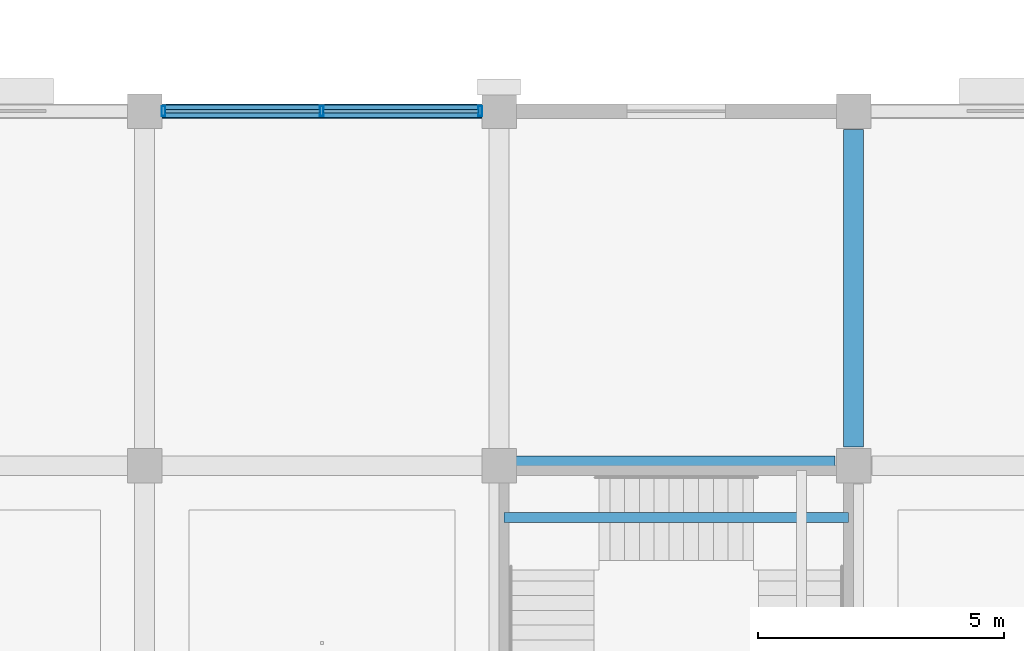
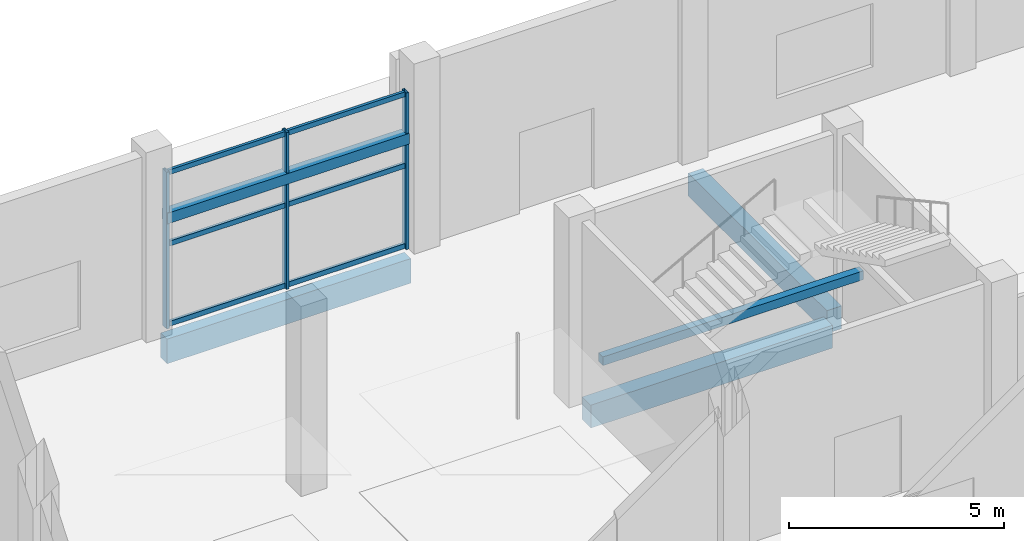
# One storey, part 16 of 90: 9 members, 5 beams, 1 element without a shape of its own.
"""IFC4 building model written with IfcOpenShell, lengths in metres."""

from ifc_helpers import new_model, si_unit, direction, frame, origin, origin_2d, place, context, subcontext, project, spatial, rectangle, hollow_rectangle, extrude, material, layer, layer_set, material_profile, profile_set, type_object, element, aggregate, save


model = new_model("IFC4")

# Units and contexts
model_context = context("Model", 3, precision=1e-05, world=origin(), true_north=direction((0.0, 1.0)))
body_context = subcontext(model_context, "Body", "Model", "MODEL_VIEW")
ifc_project = project(units=[si_unit("LENGTHUNIT", "METRE"), si_unit("AREAUNIT", "SQUARE_METRE"), si_unit("VOLUMEUNIT", "CUBIC_METRE"), si_unit("PLANEANGLEUNIT", "RADIAN"), si_unit("MASSUNIT", "GRAM", prefix="KILO")], contexts=[model_context])

# Site, building, storey
site_placement = place(None, origin())
site = spatial("IfcSite", under=ifc_project, at=site_placement, CompositionType="ELEMENT")
building_placement = place(site_placement, origin())
building = spatial("IfcBuilding", under=site, at=building_placement, Name="Kangsadwip Square Police Headquarters", CompositionType="ELEMENT")
storey_placement = place(building_placement, origin())
storey = spatial("IfcBuildingStorey", under=building, at=storey_placement, Name="L00", CompositionType="ELEMENT", Elevation=0.0)

# Curtain wall, members
ifc_material_1 = material(Name="Thermally broken anodised aluminium AW-6063-T6", Category="aluminium")
ifc_layer = layer(ifc_material_1, 0.159912109375)
ifc_layer_set = layer_set([ifc_layer], Name="Thermally broken anodised aluminium AW-6063-T6")
curtain_wall_type = type_object("IfcCurtainWallType", Name="UnitisedCw6510x4450", PredefinedType="NOTDEFINED", material=ifc_layer_set)
curtain_wall_placement = place(storey_placement, origin())
curtain_wall = element("IfcCurtainWall", 1, at=curtain_wall_placement, inside=storey, type_object=curtain_wall_type, Name="Curtain Wall CW-L00-0075-1152", PredefinedType="NOTDEFINED")
ifc_material_2 = material(Name="Thermally broken anodised aluminium AW-6063-T6", Category="aluminium")
ifc_material_profile_1 = material_profile(ifc_material_2, hollow_rectangle(XDim=0.074951171875, YDim=0.199951171875, WallThickness=0.0048828125, at=origin_2d()), Name="CWM 200X75X5")
ifc_profile_set_1 = profile_set([ifc_material_profile_1], Name="Thermally broken anodised aluminium AW-6063-T6")
member_type_1 = type_object("IfcMemberType", Name="CwMullion180x75", PredefinedType="MULLION", material=ifc_profile_set_1)
member_1_placement = place(storey_placement, frame((7.58251953125, 115.199951171875, 0.0), z_axis=(0.0, 0.0, 1.0), x_axis=(1.0, 0.0, 0.0)))
member_1 = element("IfcMember", 2, at=member_1_placement, type_object=member_type_1, Name="CW-06 mullion 1", PredefinedType="MULLION", context=body_context, shape_type="SweptSolid", body=[
    extrude(hollow_rectangle(XDim=0.074951171875, YDim=0.199951171875, WallThickness=0.0048828125, at=origin_2d()), origin(), (0.0, 0.0, 1.0), 4.449951171875),
])
member_2_placement = place(storey_placement, frame((10.800048828125, 115.199951171875, 0.0), z_axis=(0.0, 0.0, 1.0), x_axis=(1.0, 0.0, 0.0)))
member_2 = element("IfcMember", 3, at=member_2_placement, type_object=member_type_1, Name="CW-06 mullion 2", PredefinedType="MULLION", context=body_context, shape_type="SweptSolid", body=[
    extrude(hollow_rectangle(XDim=0.074951171875, YDim=0.199951171875, WallThickness=0.0048828125, at=origin_2d()), origin(), (0.0, 0.0, 1.0), 4.449951171875),
])
member_3_placement = place(storey_placement, frame((14.017578125, 115.199951171875, 0.0), z_axis=(0.0, 0.0, 1.0), x_axis=(1.0, 0.0, 0.0)))
member_3 = element("IfcMember", 4, at=member_3_placement, type_object=member_type_1, Name="CW-06 mullion 3", PredefinedType="MULLION", context=body_context, shape_type="SweptSolid", body=[
    extrude(hollow_rectangle(XDim=0.074951171875, YDim=0.199951171875, WallThickness=0.0048828125, at=origin_2d()), origin(), (0.0, 0.0, 1.0), 4.449951171875),
])
ifc_material_3 = material(Name="Thermally broken anodised aluminium AW-6063-T6", Category="aluminium")
ifc_material_profile_2 = material_profile(ifc_material_3, hollow_rectangle(XDim=0.074951171875, YDim=0.139892578125, WallThickness=0.0048828125, at=origin_2d()), Name="CWT 140X75X5")
ifc_profile_set_2 = profile_set([ifc_material_profile_2], Name="Thermally broken anodised aluminium AW-6063-T6")
member_type_2 = type_object("IfcMemberType", Name="CwTransom160x65", PredefinedType="USERDEFINED", material=ifc_profile_set_2)
member_4_placement = place(storey_placement, frame((7.6201171875, 115.199951171875, 0.070068359375), z_axis=(1.0, 0.0, 0.0), x_axis=(0.0, 1.0, 0.0)))
member_4 = element("IfcMember", 5, at=member_4_placement, type_object=member_type_2, Name="CW-06 transom 1.1", ObjectType="TRANSOM", PredefinedType="USERDEFINED", context=body_context, shape_type="SweptSolid", body=[
    extrude(hollow_rectangle(XDim=0.074951171875, YDim=0.139892578125, WallThickness=0.0048828125, at=origin_2d()), origin(), (0.0, 0.0, 1.0), 3.142333984375),
])
member_5_placement = place(storey_placement, frame((7.6201171875, 115.199951171875, 2.35009765625), z_axis=(1.0, 0.0, 0.0), x_axis=(0.0, 1.0, 0.0)))
member_5 = element("IfcMember", 6, at=member_5_placement, type_object=member_type_2, Name="CW-06 transom 1.2", ObjectType="TRANSOM", PredefinedType="USERDEFINED", context=body_context, shape_type="SweptSolid", body=[
    extrude(hollow_rectangle(XDim=0.074951171875, YDim=0.139892578125, WallThickness=0.0048828125, at=origin_2d()), origin(), (0.0, 0.0, 1.0), 3.142333984375),
])
member_6_placement = place(storey_placement, frame((7.6201171875, 115.199951171875, 4.3798828125), z_axis=(1.0, 0.0, 0.0), x_axis=(0.0, 1.0, 0.0)))
member_6 = element("IfcMember", 7, at=member_6_placement, type_object=member_type_2, Name="CW-06 transom 1.3", ObjectType="TRANSOM", PredefinedType="USERDEFINED", context=body_context, shape_type="SweptSolid", body=[
    extrude(hollow_rectangle(XDim=0.074951171875, YDim=0.139892578125, WallThickness=0.0048828125, at=origin_2d()), origin(), (0.0, 0.0, 1.0), 3.142333984375),
])
member_7_placement = place(storey_placement, frame((10.83740234375, 115.199951171875, 0.070068359375), z_axis=(1.0, 0.0, 0.0), x_axis=(0.0, 1.0, 0.0)))
member_7 = element("IfcMember", 8, at=member_7_placement, type_object=member_type_2, Name="CW-06 transom 2.1", ObjectType="TRANSOM", PredefinedType="USERDEFINED", context=body_context, shape_type="SweptSolid", body=[
    extrude(hollow_rectangle(XDim=0.074951171875, YDim=0.139892578125, WallThickness=0.0048828125, at=origin_2d()), origin(), (0.0, 0.0, 1.0), 3.142578125),
])
member_8_placement = place(storey_placement, frame((10.83740234375, 115.199951171875, 2.35009765625), z_axis=(1.0, 0.0, 0.0), x_axis=(0.0, 1.0, 0.0)))
member_8 = element("IfcMember", 9, at=member_8_placement, type_object=member_type_2, Name="CW-06 transom 2.2", ObjectType="TRANSOM", PredefinedType="USERDEFINED", context=body_context, shape_type="SweptSolid", body=[
    extrude(hollow_rectangle(XDim=0.074951171875, YDim=0.139892578125, WallThickness=0.0048828125, at=origin_2d()), origin(), (0.0, 0.0, 1.0), 3.142578125),
])
member_9_placement = place(storey_placement, frame((10.83740234375, 115.199951171875, 4.3798828125), z_axis=(1.0, 0.0, 0.0), x_axis=(0.0, 1.0, 0.0)))
member_9 = element("IfcMember", 10, at=member_9_placement, type_object=member_type_2, Name="CW-06 transom 2.3", ObjectType="TRANSOM", PredefinedType="USERDEFINED", context=body_context, shape_type="SweptSolid", body=[
    extrude(hollow_rectangle(XDim=0.074951171875, YDim=0.139892578125, WallThickness=0.0048828125, at=origin_2d()), origin(), (0.0, 0.0, 1.0), 3.142578125),
])
aggregate(curtain_wall, [member_1, member_2, member_3, member_4, member_5, member_6, member_7, member_8, member_9])

# Beams
ifc_material_4 = material(Name="Concrete M35 (35 MPa)", Category="concrete")
ifc_material_profile_3 = material_profile(ifc_material_4, rectangle(XDim=0.39990234375, YDim=0.64990234375, at=origin_2d()), Name="RC BM 650X400")
ifc_profile_set_3 = profile_set([ifc_material_profile_3], Name="Concrete M35 (35 MPa)")
beam_type_1 = type_object("IfcBeamType", Name="RcBeam650x400", PredefinedType="BEAM", material=ifc_profile_set_3)
beam_1_placement = place(storey_placement, frame((14.72509765625, 108.0, -0.574951171875), z_axis=(1.0, 0.0, 0.0), x_axis=(0.0, 1.0, 0.0)))
element("IfcBeam", 11, at=beam_1_placement, inside=storey, type_object=beam_type_1, Name="Beam BM-L00-X-02-15", PredefinedType="BEAM", context=body_context, shape_type="SweptSolid", body=[
    extrude(rectangle(XDim=0.39990234375, YDim=0.64990234375, at=origin_2d()), origin(), (0.0, 0.0, 1.0), 6.5),
])
beam_2_placement = place(storey_placement, frame((21.60009765625, 108.375, -0.574951171875), z_axis=(0.0, 1.0, 0.0), x_axis=(-1.0, 0.0, 0.0)))
element("IfcBeam", 12, at=beam_2_placement, inside=storey, type_object=beam_type_1, Name="Beam BM-L00-Y-03-15", PredefinedType="BEAM", context=body_context, shape_type="SweptSolid", body=[
    extrude(rectangle(XDim=0.39990234375, YDim=0.64990234375, at=origin_2d()), origin(), (0.0, 0.0, 1.0), 6.449951171875),
])
ifc_material_5 = material(Name="Concrete M30 (30 MPa)", Category="concrete")
ifc_material_profile_4 = material_profile(ifc_material_5, rectangle(XDim=0.199951171875, YDim=0.25, at=origin_2d()), Name="RC LNT 250X200")
ifc_profile_set_4 = profile_set([ifc_material_profile_4], Name="Concrete M30 (30 MPa)")
beam_type_2 = type_object("IfcBeamType", Name="RcLintel250x200", PredefinedType="LINTEL", material=ifc_profile_set_4)
beam_3_placement = place(storey_placement, frame((14.5, 106.945068359375, 1.655029296875), z_axis=(1.0, 0.0, 0.0), x_axis=(0.0, 1.0, 0.0)))
element("IfcBeam", 13, at=beam_3_placement, inside=storey, type_object=beam_type_2, Name="Stair Carriage and Landing Beam BM-ST-L00-089", PredefinedType="BEAM", context=body_context, shape_type="SweptSolid", body=[
    extrude(rectangle(XDim=0.199951171875, YDim=0.25, at=origin_2d()), origin(), (0.0, 0.0, 1.0), 7.0),
])
ifc_material_6 = material(Name="Concrete M35 (35 MPa)", Category="concrete")
ifc_material_profile_5 = material_profile(ifc_material_6, rectangle(XDim=0.25, YDim=0.300048828125, at=origin_2d()), Name="RC LNT 300X250")
ifc_profile_set_5 = profile_set([ifc_material_profile_5], Name="Concrete M35 (35 MPa)")
beam_type_3 = type_object("IfcBeamType", Name="RcLintel300x250", PredefinedType="LINTEL", material=ifc_profile_set_5)
beam_4_placement = place(storey_placement, frame((7.550048828125, 115.199951171875, 3.14990234375), z_axis=(1.0, 0.0, 0.0), x_axis=(0.0, 1.0, 0.0)))
element("IfcBeam", 14, at=beam_4_placement, inside=storey, type_object=beam_type_3, Name="Opening Lintel Beam LNT-L00-0369", PredefinedType="LINTEL", context=body_context, shape_type="SweptSolid", body=[
    extrude(rectangle(XDim=0.25, YDim=0.300048828125, at=origin_2d()), origin(), (0.0, 0.0, 1.0), 6.5),
])
ifc_material_7 = material(Name="Concrete M40 (40 MPa)", Category="concrete")
ifc_material_profile_6 = material_profile(ifc_material_7, rectangle(XDim=0.300048828125, YDim=0.699951171875, at=origin_2d()), Name="RC SPN 700X300")
ifc_profile_set_6 = profile_set([ifc_material_profile_6], Name="Concrete M40 (40 MPa)")
beam_type_4 = type_object("IfcBeamType", Name="RcSpandrel700x300", PredefinedType="SPANDREL", material=ifc_profile_set_6)
beam_5_placement = place(storey_placement, frame((7.52490234375, 115.199951171875, -0.60009765625), z_axis=(1.0, 0.0, 0.0), x_axis=(0.0, 1.0, 0.0)))
element("IfcBeam", 15, at=beam_5_placement, inside=storey, type_object=beam_type_4, Name="Beam BM-L00-X-01-16", PredefinedType="SPANDREL", context=body_context, shape_type="SweptSolid", body=[
    extrude(rectangle(XDim=0.300048828125, YDim=0.699951171875, at=origin_2d()), origin(), (0.0, 0.0, 1.0), 6.550048828125),
])

save(model, "model.ifc")
